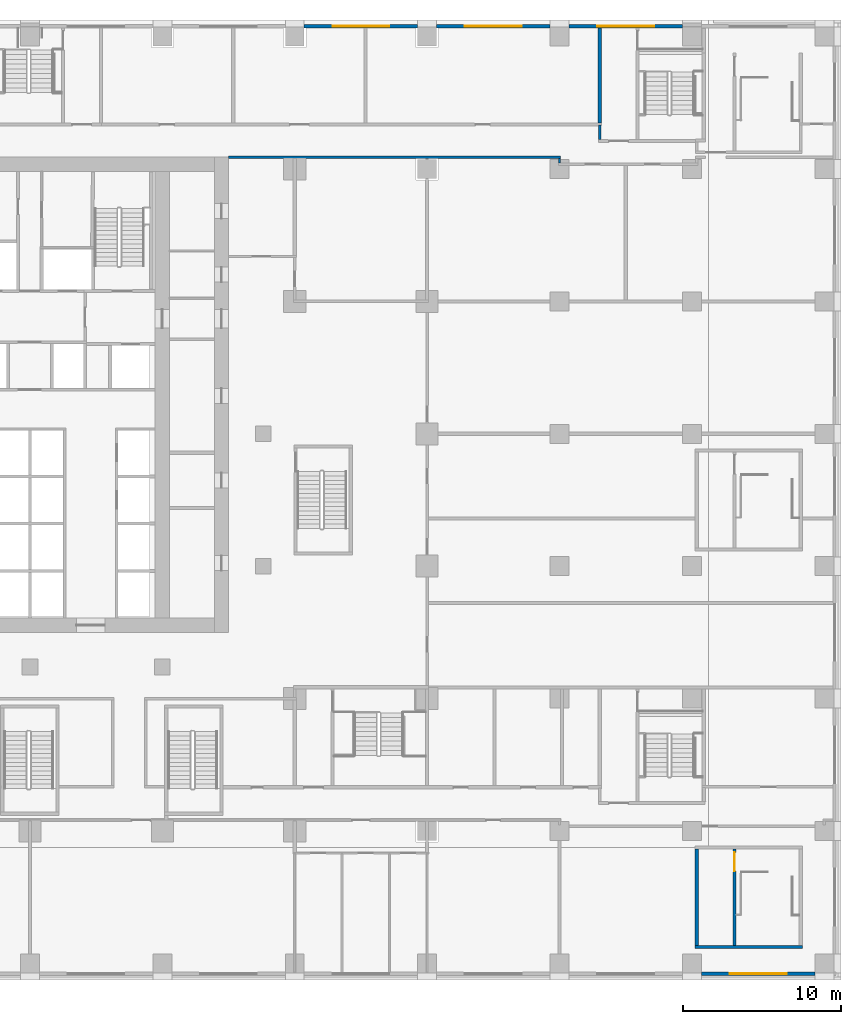
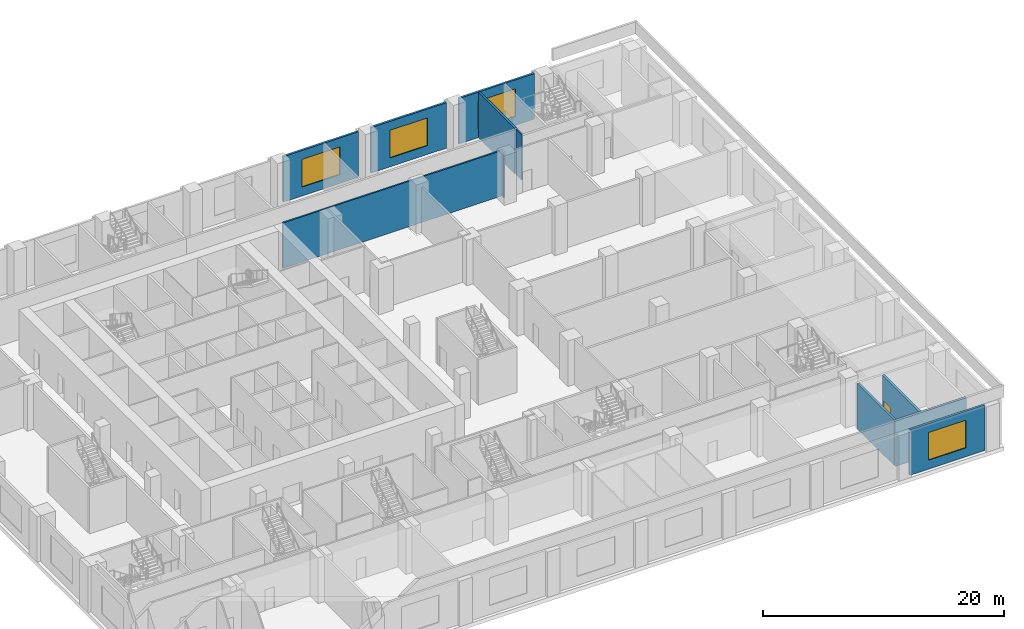
# One storey, part 10 of 23: 11 walls, 4 windows, 1 door, 5 openings.
"""IFC4 building model written with IfcOpenShell, lengths in metres."""

from ifc_helpers import new_model, si_unit, direction, frame, frame_2d, origin, place, context, subcontext, project, spatial, rectangle, extrude, material, layer, layer_set, type_object, element, fill, save


model = new_model("IFC4")

# Units and contexts
model_context = context("Model", 3, precision=1e-05, world=origin(), true_north=direction((0.0, 1.0)))
body_context = subcontext(model_context, "Body", "Model", "MODEL_VIEW")
ifc_project = project(units=[si_unit("LENGTHUNIT", "METRE"), si_unit("AREAUNIT", "SQUARE_METRE"), si_unit("VOLUMEUNIT", "CUBIC_METRE"), si_unit("PLANEANGLEUNIT", "RADIAN"), si_unit("MASSUNIT", "GRAM", prefix="KILO")], contexts=[model_context])

# Site, building, storey
site_placement = place(None, origin())
site = spatial("IfcSite", under=ifc_project, at=site_placement, CompositionType="ELEMENT")
building_placement = place(site_placement, origin())
building = spatial("IfcBuilding", under=site, at=building_placement, Name="Vermilion Ogive Tower", CompositionType="ELEMENT")
storey_placement = place(building_placement, frame((0.0, 0.0, 20.0)))
storey = spatial("IfcBuildingStorey", under=building, at=storey_placement, Name="L03", CompositionType="ELEMENT", Elevation=20.0)

# Walls
ifc_material_1 = material(Name="Gypsum board partition on steel studs", Category="steel")
ifc_layer_1 = layer(ifc_material_1, 0.14990234375)
ifc_layer_set_1 = layer_set([ifc_layer_1], Name="Partition 150 corridor")
wall_type_1 = type_object("IfcWallType", Name="Partition 150 corridor", PredefinedType="PARTITIONING", material=ifc_layer_set_1)
wall_1_placement = place(storey_placement, frame((12.60107421875, 21.75, 0.0), z_axis=(0.0, 0.0, 1.0), x_axis=(1.0, 0.0, 0.0)))
element("IfcWall", 1, at=wall_1_placement, inside=storey, type_object=wall_type_1, Name="L03-FS-W-W034", PredefinedType="PARTITIONING", context=body_context, shape_type="SweptSolid", body=[
    extrude(rectangle(XDim=21.073974609375, YDim=0.14990234375, at=frame_2d((10.537109375, 0.0))), origin(), (0.0, 0.0, 1.0), 4.60009765625),
])
wall_2_placement = place(storey_placement, frame((33.60009765625, 21.375, 0.0), z_axis=(0.0, 0.0, 1.0), x_axis=(0.0, 1.0, 0.0)))
element("IfcWall", 2, at=wall_2_placement, inside=storey, type_object=wall_type_1, Name="L03-FS-W-W084", PredefinedType="PARTITIONING", context=body_context, shape_type="SweptSolid", body=[
    extrude(rectangle(XDim=0.300048828125, YDim=0.14990234375, at=frame_2d((0.14990234375, 0.0))), origin(), (0.0, 0.0, 1.0), 4.60009765625),
])
wall_3_placement = place(storey_placement, frame((36.14990234375, 22.875, 0.0), z_axis=(0.0, 0.0, 1.0), x_axis=(0.0, 1.0, 0.0)))
element("IfcWall", 3, at=wall_3_placement, inside=storey, type_object=wall_type_1, Name="L03-FS-W-W088", PredefinedType="PARTITIONING", context=body_context, shape_type="SweptSolid", body=[
    extrude(rectangle(XDim=0.89990234375, YDim=0.14990234375, at=frame_2d((0.449951171875, 0.0))), origin(), (0.0, 0.0, 1.0), 4.60009765625),
])
ifc_material_2 = material(Name="Gypsum board partition on steel studs", Category="steel")
ifc_layer_2 = layer(ifc_material_2, 0.199951171875)
ifc_layer_set_2 = layer_set([ifc_layer_2], Name="Partition 200 party")
wall_type_2 = type_object("IfcWallType", Name="Partition 200 party", PredefinedType="PARTITIONING", material=ifc_layer_set_2)
wall_4_placement = place(storey_placement, frame((42.199951171875, -28.35009765625, 0.0), z_axis=(0.0, 0.0, 1.0), x_axis=(1.0, 0.0, 0.0)))
element("IfcWall", 4, at=wall_4_placement, inside=storey, type_object=wall_type_2, Name="L03-FS-W-W001", PredefinedType="PARTITIONING", context=body_context, shape_type="SweptSolid", body=[
    extrude(rectangle(XDim=6.800048828125, YDim=0.199951171875, at=frame_2d((3.39990234375, 0.0))), origin(), (0.0, 0.0, 1.0), 4.60009765625),
])
wall_5_placement = place(storey_placement, frame((36.14990234375, 23.925048828125, 0.0), z_axis=(0.0, 0.0, 1.0), x_axis=(0.0, 1.0, 0.0)))
element("IfcWall", 5, at=wall_5_placement, inside=storey, type_object=wall_type_2, Name="L03-FS-W-W089", PredefinedType="PARTITIONING", context=body_context, shape_type="SweptSolid", body=[
    extrude(rectangle(XDim=6.02490234375, YDim=0.199951171875, at=frame_2d((3.012451171875, 0.0))), origin(), (0.0, 0.0, 1.0), 4.60009765625),
])
wall_6_placement = place(storey_placement, frame((42.300048828125, -28.25, 0.0), z_axis=(0.0, 0.0, 1.0), x_axis=(0.0, 1.0, 0.0)))
element("IfcWall", 6, at=wall_6_placement, inside=storey, type_object=wall_type_2, Name="L03-FS-W-W093", PredefinedType="PARTITIONING", context=body_context, shape_type="SweptSolid", body=[
    extrude(rectangle(XDim=6.10009765625, YDim=0.199951171875, at=frame_2d((3.050048828125, 0.0))), origin(), (0.0, 0.0, 1.0), 4.60009765625),
])

# Wall, opening, door
wall_7_placement = place(storey_placement, frame((44.699951171875, -28.25, 0.0), z_axis=(0.0, 0.0, 1.0), x_axis=(0.0, 1.0, 0.0)))
wall_7 = element("IfcWall", 7, at=wall_7_placement, inside=storey, type_object=wall_type_2, Name="L03-FS-W-W100", PredefinedType="PARTITIONING", context=body_context, shape_type="SweptSolid", body=[
    extrude(rectangle(XDim=6.10009765625, YDim=0.199951171875, at=frame_2d((3.050048828125, 0.0))), origin(), (0.0, 0.0, 1.0), 4.60009765625),
])
opening_1_placement = place(wall_7_placement, frame((4.7001953125, 0.0, 0.0)))
opening_1 = element("IfcOpeningElement", 8, at=opening_1_placement, cuts=wall_7, Name="Opening L03S009", PredefinedType="OPENING", context=body_context, shape_type="SweptSolid", body=[
    extrude(rectangle(XDim=1.199951171875, YDim=2.10009765625, at=frame_2d((0.60009765625, 1.050048828125))), frame((0.0, 0.10986328125, 0.0), z_axis=(0.0, -1.0, 0.0), x_axis=(1.0, 0.0, 0.0)), (0.0, 0.0, 1.0), 0.219970703125),
])
ifc_material_3 = material(Name="Timber door leaf", Category="wood")
door_type = type_object("IfcDoorType", Name="Stair door 1200 x 2100 FD60S", OperationType="SINGLE_SWING_LEFT", PredefinedType="DOOR", material=ifc_material_3)
door_placement = place(opening_1_placement, origin())
door = element("IfcDoor", 9, at=door_placement, inside=storey, type_object=door_type, Name="L03-FS-D-D009", OperationType="DOUBLE_DOOR_SINGLE_SWING", OverallHeight=2.10009765625, OverallWidth=1.199951171875, PredefinedType="DOOR", context=body_context, shape_type="SweptSolid", body=[
    extrude(rectangle(XDim=1.199951171875, YDim=2.10009765625, at=frame_2d((0.60009765625, 1.050048828125))), frame((0.0, 0.02490234375, 0.0), z_axis=(0.0, -1.0, 0.0), x_axis=(1.0, 0.0, 0.0)), (0.0, 0.0, 1.0), 0.050048828125),
])
fill(opening_1, door)

# Wall, opening, window
ifc_material_4 = material(Name="Concrete B60", Category="concrete")
ifc_layer_3 = layer(ifc_material_4, 0.199951171875)
ifc_layer_set_3 = layer_set([ifc_layer_3], Name="Stair shaft wall 200 Concrete B60")
wall_type_3 = type_object("IfcWallType", Name="Stair shaft wall 200 Concrete B60", PredefinedType="SOLIDWALL", material=ifc_layer_set_3)
wall_8_placement = place(storey_placement, frame((34.199951171875, 30.050048828125, 0.0), z_axis=(0.0, 0.0, 1.0), x_axis=(1.0, 0.0, 0.0)))
wall_8 = element("IfcWall", 10, at=wall_8_placement, inside=storey, type_object=wall_type_3, Name="Window wall N2", PredefinedType="SOLIDWALL", context=body_context, shape_type="SweptSolid", body=[
    extrude(rectangle(XDim=7.199951171875, YDim=0.199951171875, at=frame_2d((3.60009765625, 0.0))), origin(), (0.0, 0.0, 1.0), 4.60009765625),
])
opening_2_placement = place(wall_8_placement, frame((1.800048828125, 0.0, 0.89990234375)))
opening_2 = element("IfcOpeningElement", 11, at=opening_2_placement, cuts=wall_8, Name="Opening P-N2", PredefinedType="OPENING", context=body_context, shape_type="SweptSolid", body=[
    extrude(rectangle(XDim=3.60009765625, YDim=2.800048828125, at=frame_2d((1.800048828125, 1.39990234375))), frame((0.0, 0.10986328125, 0.0), z_axis=(0.0, -1.0, 0.0), x_axis=(1.0, 0.0, 0.0)), (0.0, 0.0, 1.0), 0.219970703125),
])
ifc_material_5 = material(Name="Aluminium framed double glazing", Category="aluminium")
window_type = type_object("IfcWindowType", Name="Podium window P 3600x2800 sill 900", PartitioningType="SINGLE_PANEL", PredefinedType="WINDOW", material=ifc_material_5)
window_1_placement = place(opening_2_placement, origin())
window_1 = element("IfcWindow", 12, at=window_1_placement, inside=storey, type_object=window_type, Name="Window N2", OverallHeight=2.800048828125, OverallWidth=3.60009765625, PartitioningType="SINGLE_PANEL", PredefinedType="WINDOW", context=body_context, shape_type="SweptSolid", body=[
    extrude(rectangle(XDim=3.60009765625, YDim=2.800048828125, at=frame_2d((1.800048828125, 1.39990234375))), frame((0.0, 0.030029296875, 0.0), z_axis=(0.0, -1.0, 0.0), x_axis=(1.0, 0.0, 0.0)), (0.0, 0.0, 1.0), 0.06005859375),
])
fill(opening_2, window_1)

ifc_material_6 = material(Name="Aluminium window wall framing", Category="aluminium")
ifc_layer_4 = layer(ifc_material_6, 0.199951171875)
ifc_layer_set_4 = layer_set([ifc_layer_4], Name="Window wall")
wall_type_4 = type_object("IfcWallType", Name="Window wall", PredefinedType="STANDARD", material=ifc_layer_set_4)
wall_9_placement = place(storey_placement, frame((42.60009765625, -30.050048828125, 0.0), z_axis=(0.0, 0.0, 1.0), x_axis=(1.0, 0.0, 0.0)))
wall_9 = element("IfcWall", 13, at=wall_9_placement, inside=storey, type_object=wall_type_4, Name="Window wall S9", PredefinedType="STANDARD", context=body_context, shape_type="SweptSolid", body=[
    extrude(rectangle(XDim=7.199951171875, YDim=0.199951171875, at=frame_2d((3.60009765625, 0.0))), origin(), (0.0, 0.0, 1.0), 4.60009765625),
])
opening_3_placement = place(wall_9_placement, frame((1.800048828125, 0.0, 0.89990234375)))
opening_3 = element("IfcOpeningElement", 14, at=opening_3_placement, cuts=wall_9, Name="Opening P-S9", PredefinedType="OPENING", context=body_context, shape_type="SweptSolid", body=[
    extrude(rectangle(XDim=3.60009765625, YDim=2.800048828125, at=frame_2d((1.800048828125, 1.39990234375))), frame((0.0, 0.10986328125, 0.0), z_axis=(0.0, -1.0, 0.0), x_axis=(1.0, 0.0, 0.0)), (0.0, 0.0, 1.0), 0.219970703125),
])
window_2_placement = place(opening_3_placement, origin())
window_2 = element("IfcWindow", 15, at=window_2_placement, inside=storey, type_object=window_type, Name="Window S9", OverallHeight=2.800048828125, OverallWidth=3.60009765625, PartitioningType="SINGLE_PANEL", PredefinedType="WINDOW", context=body_context, shape_type="SweptSolid", body=[
    extrude(rectangle(XDim=3.60009765625, YDim=2.800048828125, at=frame_2d((1.800048828125, 1.39990234375))), frame((0.0, 0.030029296875, 0.0), z_axis=(0.0, -1.0, 0.0), x_axis=(1.0, 0.0, 0.0)), (0.0, 0.0, 1.0), 0.06005859375),
])
fill(opening_3, window_2)

wall_10_placement = place(storey_placement, frame((33.0, 30.050048828125, 0.0), z_axis=(0.0, 0.0, 1.0), x_axis=(-1.0, 0.0, 0.0)))
wall_10 = element("IfcWall", 16, at=wall_10_placement, inside=storey, type_object=wall_type_4, Name="Window wall N3", PredefinedType="STANDARD", context=body_context, shape_type="SweptSolid", body=[
    extrude(rectangle(XDim=7.199951171875, YDim=0.199951171875, at=frame_2d((3.60009765625, 0.0))), origin(), (0.0, 0.0, 1.0), 4.60009765625),
])
opening_4_placement = place(wall_10_placement, frame((1.800048828125, 0.0, 0.89990234375)))
opening_4 = element("IfcOpeningElement", 17, at=opening_4_placement, cuts=wall_10, Name="Opening P-N3", PredefinedType="OPENING", context=body_context, shape_type="SweptSolid", body=[
    extrude(rectangle(XDim=3.60009765625, YDim=2.800048828125, at=frame_2d((1.800048828125, 1.39990234375))), frame((0.0, 0.10986328125, 0.0), z_axis=(0.0, -1.0, 0.0), x_axis=(1.0, 0.0, 0.0)), (0.0, 0.0, 1.0), 0.219970703125),
])
window_3_placement = place(opening_4_placement, origin())
window_3 = element("IfcWindow", 18, at=window_3_placement, inside=storey, type_object=window_type, Name="Window N3", OverallHeight=2.800048828125, OverallWidth=3.60009765625, PartitioningType="SINGLE_PANEL", PredefinedType="WINDOW", context=body_context, shape_type="SweptSolid", body=[
    extrude(rectangle(XDim=3.60009765625, YDim=2.800048828125, at=frame_2d((1.800048828125, 1.39990234375))), frame((0.0, 0.030029296875, 0.0), z_axis=(0.0, -1.0, 0.0), x_axis=(1.0, 0.0, 0.0)), (0.0, 0.0, 1.0), 0.06005859375),
])
fill(opening_4, window_3)

wall_11_placement = place(storey_placement, frame((24.60009765625, 30.050048828125, 0.0), z_axis=(0.0, 0.0, 1.0), x_axis=(-1.0, 0.0, 0.0)))
wall_11 = element("IfcWall", 19, at=wall_11_placement, inside=storey, type_object=wall_type_4, Name="Window wall N4", PredefinedType="STANDARD", context=body_context, shape_type="SweptSolid", body=[
    extrude(rectangle(XDim=7.2001953125, YDim=0.199951171875, at=frame_2d((3.60009765625, 0.0))), origin(), (0.0, 0.0, 1.0), 4.60009765625),
])
opening_5_placement = place(wall_11_placement, frame((1.800048828125, 0.0, 0.89990234375)))
opening_5 = element("IfcOpeningElement", 20, at=opening_5_placement, cuts=wall_11, Name="Opening P-N4", PredefinedType="OPENING", context=body_context, shape_type="SweptSolid", body=[
    extrude(rectangle(XDim=3.60009765625, YDim=2.800048828125, at=frame_2d((1.800048828125, 1.39990234375))), frame((0.0, 0.10986328125, 0.0), z_axis=(0.0, -1.0, 0.0), x_axis=(1.0, 0.0, 0.0)), (0.0, 0.0, 1.0), 0.219970703125),
])
window_4_placement = place(opening_5_placement, origin())
window_4 = element("IfcWindow", 21, at=window_4_placement, inside=storey, type_object=window_type, Name="Window N4", OverallHeight=2.800048828125, OverallWidth=3.60009765625, PartitioningType="SINGLE_PANEL", PredefinedType="WINDOW", context=body_context, shape_type="SweptSolid", body=[
    extrude(rectangle(XDim=3.60009765625, YDim=2.800048828125, at=frame_2d((1.800048828125, 1.39990234375))), frame((0.0, 0.030029296875, 0.0), z_axis=(0.0, -1.0, 0.0), x_axis=(1.0, 0.0, 0.0)), (0.0, 0.0, 1.0), 0.06005859375),
])
fill(opening_5, window_4)

save(model, "model.ifc")
